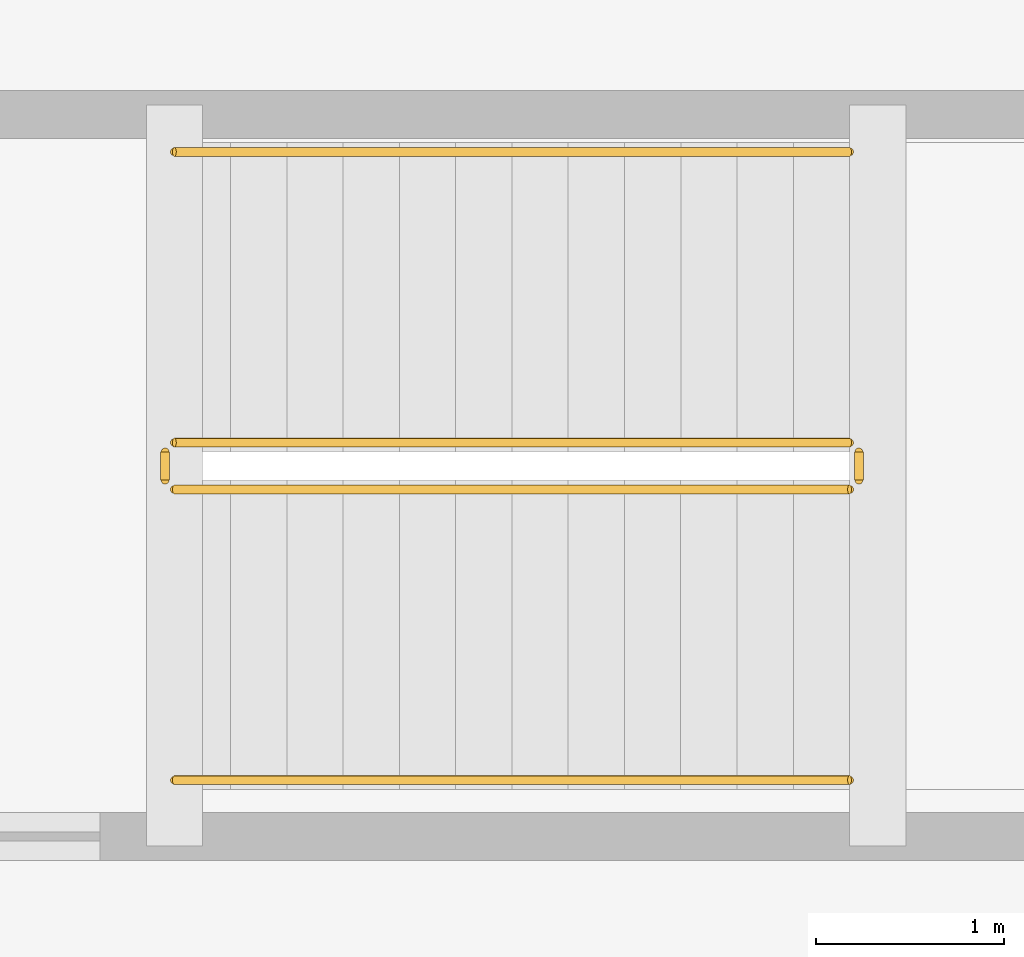
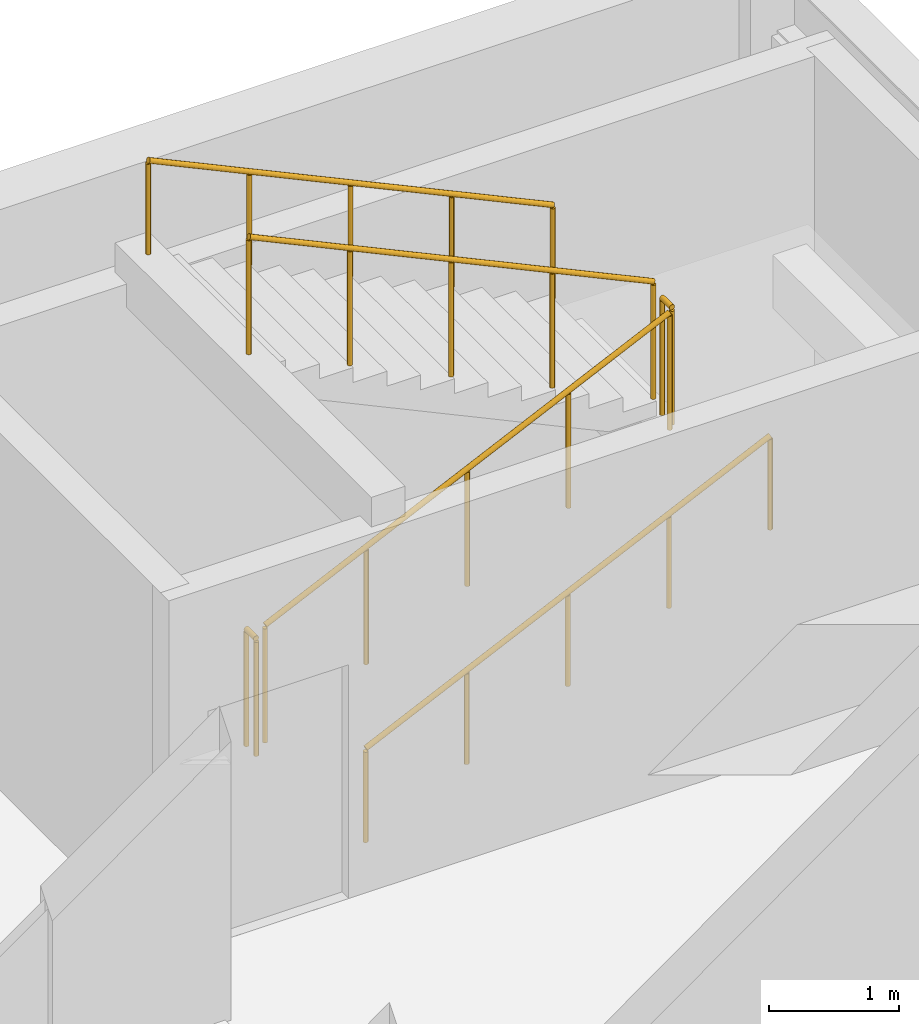
# One storey, part 118 of 118: 6 railings.
"""IFC4 building model written with IfcOpenShell, lengths in metres."""

from ifc_helpers import new_model, si_unit, direction, frame, origin, origin_2d, place, context, subcontext, project, spatial, circle, extrude, material, type_object, element, save


model = new_model("IFC4")

# Units and contexts
model_context = context("Model", 3, precision=1e-05, world=origin(), true_north=direction((0.0, 1.0)))
body_context = subcontext(model_context, "Body", "Model", "MODEL_VIEW")
ifc_project = project(units=[si_unit("LENGTHUNIT", "METRE"), si_unit("AREAUNIT", "SQUARE_METRE"), si_unit("VOLUMEUNIT", "CUBIC_METRE"), si_unit("PLANEANGLEUNIT", "RADIAN"), si_unit("MASSUNIT", "GRAM", prefix="KILO")], contexts=[model_context])

# Site, building, storey
site_placement = place(None, origin())
site = spatial("IfcSite", under=ifc_project, at=site_placement, CompositionType="ELEMENT")
building_placement = place(site_placement, origin())
building = spatial("IfcBuilding", under=site, at=building_placement, Name="Cumbredor Promenade Congress Hotel", CompositionType="ELEMENT")
storey_placement = place(building_placement, frame((0.0, 0.0, 3.919921875)))
storey = spatial("IfcBuildingStorey", under=building, at=storey_placement, Name="L01", CompositionType="ELEMENT", Elevation=3.919921875)

# Railings
ifc_material = material(Name="Brushed stainless steel", Category="steel")
railing_type_1 = type_object("IfcRailingType", Name="Interior Void & Stair Guardrail GR-1100", PredefinedType="GUARDRAIL", material=ifc_material)
railing_1_placement = place(storey_placement, frame((169.919921875, 114.14990234375, 0.14013671875)))
element("IfcRailing", 1, at=railing_1_placement, inside=storey, type_object=railing_type_1, Name="L01 ST-16 stair guard 1", PredefinedType="GUARDRAIL", context=body_context, shape_type="SweptSolid", body=[
    extrude(circle(Radius=0.02392578125, at=origin_2d()), frame((0.0, 0.0, 1.09619140625), z_axis=(0.906194129559, 0.0, 0.422861915468), x_axis=(0.0, 1.0, 0.0)), (0.0, 0.0, 1.0), 3.97265625),
    extrude(circle(Radius=0.02099609375, at=origin_2d()), origin(), (0.0, 0.0, 1.0), 1.072021484375),
    extrude(circle(Radius=0.02099609375, at=origin_2d()), frame((0.89990234375, 0.0, 0.419921875)), (0.0, 0.0, 1.0), 1.072021484375),
    extrude(circle(Radius=0.02099609375, at=origin_2d()), frame((1.800048828125, 0.0, 0.83984375)), (0.0, 0.0, 1.0), 1.072021484375),
    extrude(circle(Radius=0.02099609375, at=origin_2d()), frame((2.7001953125, 0.0, 1.260009765625)), (0.0, 0.0, 1.0), 1.072021484375),
    extrude(circle(Radius=0.02099609375, at=origin_2d()), frame((3.60009765625, 0.0, 1.679931640625)), (0.0, 0.0, 1.0), 1.072021484375),
])
railing_2_placement = place(storey_placement, frame((173.570068359375, 114.199951171875, 1.820068359375)))
element("IfcRailing", 2, at=railing_2_placement, inside=storey, type_object=railing_type_1, Name="L01 ST-16 stair guard 2", PredefinedType="GUARDRAIL", context=body_context, shape_type="SweptSolid", body=[
    extrude(circle(Radius=0.02392578125, at=origin_2d()), frame((0.0, 0.0, 1.09619140625), z_axis=(0.0, 1.0, 0.0), x_axis=(-1.0, 0.0, 0.0)), (0.0, 0.0, 1.0), 0.150146484375),
    extrude(circle(Radius=0.02099609375, at=origin_2d()), origin(), (0.0, 0.0, 1.0), 1.072021484375),
    extrude(circle(Radius=0.02099609375, at=origin_2d()), frame((0.0, 0.150146484375, 0.0)), (0.0, 0.0, 1.0), 1.072021484375),
])
railing_3_placement = place(storey_placement, frame((173.52001953125, 114.39990234375, 1.9599609375)))
element("IfcRailing", 3, at=railing_3_placement, inside=storey, type_object=railing_type_1, Name="L01 ST-16 stair guard 3", PredefinedType="GUARDRAIL", context=body_context, shape_type="SweptSolid", body=[
    extrude(circle(Radius=0.02392578125, at=origin_2d()), frame((0.0, 0.0, 1.09619140625), z_axis=(-0.906170580071, 0.0, 0.422912378411), x_axis=(0.0, -1.0, 0.0)), (0.0, 0.0, 1.0), 3.972900390625),
    extrude(circle(Radius=0.02099609375, at=origin_2d()), origin(), (0.0, 0.0, 1.0), 1.072021484375),
    extrude(circle(Radius=0.02099609375, at=origin_2d()), frame((-0.89990234375, 0.0, 0.419921875)), (0.0, 0.0, 1.0), 1.072021484375),
    extrude(circle(Radius=0.02099609375, at=origin_2d()), frame((-1.800048828125, 0.0, 0.840087890625)), (0.0, 0.0, 1.0), 1.072021484375),
    extrude(circle(Radius=0.02099609375, at=origin_2d()), frame((-2.7001953125, 0.0, 1.26025390625)), (0.0, 0.0, 1.0), 1.072021484375),
    extrude(circle(Radius=0.02099609375, at=origin_2d()), frame((-3.60009765625, 0.0, 1.68017578125)), (0.0, 0.0, 1.0), 1.072021484375),
])
railing_4_placement = place(storey_placement, frame((169.8701171875, 114.199951171875, 0.0)))
element("IfcRailing", 4, at=railing_4_placement, inside=storey, type_object=railing_type_1, Name="L01 ST-16 stair guard 4", PredefinedType="GUARDRAIL", context=body_context, shape_type="SweptSolid", body=[
    extrude(circle(Radius=0.02392578125, at=origin_2d()), frame((0.0, 0.0, 1.09619140625), z_axis=(0.0, 1.0, 0.0), x_axis=(-1.0, 0.0, 0.0)), (0.0, 0.0, 1.0), 0.150146484375),
    extrude(circle(Radius=0.02099609375, at=origin_2d()), origin(), (0.0, 0.0, 1.0), 1.072021484375),
    extrude(circle(Radius=0.02099609375, at=origin_2d()), frame((0.0, 0.150146484375, 0.0)), (0.0, 0.0, 1.0), 1.072021484375),
])
railing_type_2 = type_object("IfcRailingType", Name="Stair Pitch Handrail HR-900", PredefinedType="HANDRAIL", material=ifc_material)
railing_5_placement = place(storey_placement, frame((169.919921875, 112.60009765625, 0.14013671875)))
element("IfcRailing", 5, at=railing_5_placement, inside=storey, type_object=railing_type_2, Name="L01 ST-16 stair handrail 1", PredefinedType="HANDRAIL", context=body_context, shape_type="SweptSolid", body=[
    extrude(circle(Radius=0.02392578125, at=origin_2d()), frame((0.0, 0.0, 0.8759765625), z_axis=(0.906194129559, 0.0, 0.422861915468), x_axis=(0.0, 1.0, 0.0)), (0.0, 0.0, 1.0), 3.97265625),
    extrude(circle(Radius=0.02099609375, at=origin_2d()), origin(), (0.0, 0.0, 1.0), 0.851806640625),
    extrude(circle(Radius=0.02099609375, at=origin_2d()), frame((0.89990234375, 0.0, 0.419921875)), (0.0, 0.0, 1.0), 0.851806640625),
    extrude(circle(Radius=0.02099609375, at=origin_2d()), frame((1.800048828125, 0.0, 0.83984375)), (0.0, 0.0, 1.0), 0.851806640625),
    extrude(circle(Radius=0.02099609375, at=origin_2d()), frame((2.7001953125, 0.0, 1.260009765625)), (0.0, 0.0, 1.0), 0.851806640625),
    extrude(circle(Radius=0.02099609375, at=origin_2d()), frame((3.60009765625, 0.0, 1.679931640625)), (0.0, 0.0, 1.0), 0.851806640625),
])
railing_6_placement = place(storey_placement, frame((173.52001953125, 115.949951171875, 1.9599609375)))
element("IfcRailing", 6, at=railing_6_placement, inside=storey, type_object=railing_type_2, Name="L01 ST-16 stair handrail 2", PredefinedType="HANDRAIL", context=body_context, shape_type="SweptSolid", body=[
    extrude(circle(Radius=0.02392578125, at=origin_2d()), frame((0.0, 0.0, 0.8759765625), z_axis=(-0.906170580071, 0.0, 0.422912378411), x_axis=(0.0, -1.0, 0.0)), (0.0, 0.0, 1.0), 3.972900390625),
    extrude(circle(Radius=0.02099609375, at=origin_2d()), origin(), (0.0, 0.0, 1.0), 0.851806640625),
    extrude(circle(Radius=0.02099609375, at=origin_2d()), frame((-0.89990234375, 0.0, 0.419921875)), (0.0, 0.0, 1.0), 0.851806640625),
    extrude(circle(Radius=0.02099609375, at=origin_2d()), frame((-1.800048828125, 0.0, 0.840087890625)), (0.0, 0.0, 1.0), 0.851806640625),
    extrude(circle(Radius=0.02099609375, at=origin_2d()), frame((-2.7001953125, 0.0, 1.26025390625)), (0.0, 0.0, 1.0), 0.851806640625),
    extrude(circle(Radius=0.02099609375, at=origin_2d()), frame((-3.60009765625, 0.0, 1.68017578125)), (0.0, 0.0, 1.0), 0.851806640625),
])

save(model, "model.ifc")
